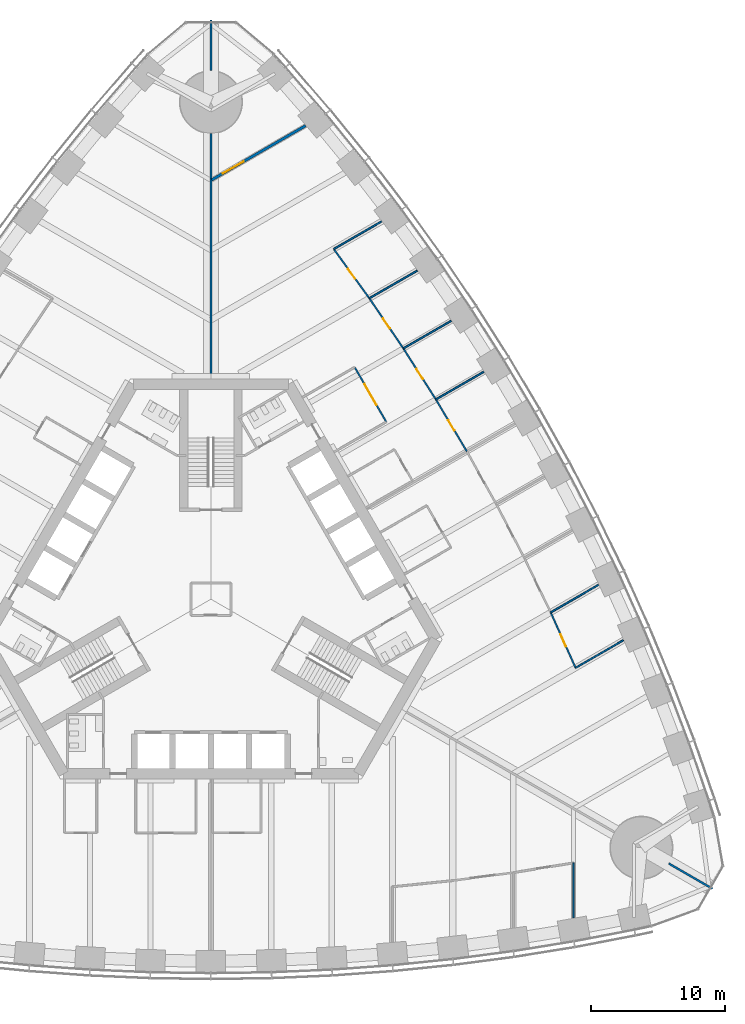
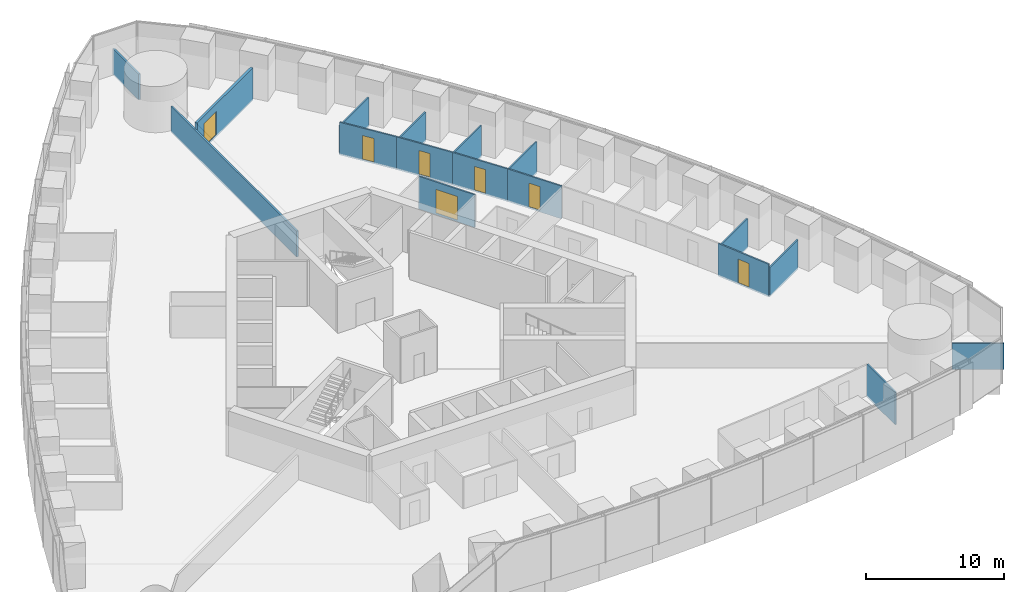
# One storey, part 13 of 19: 17 walls, 7 doors, 7 openings.
"""IFC4 building model written with IfcOpenShell, lengths in metres."""

import ifcopenshell
import ifcopenshell.guid

model = None  # the IFC model being written
_history = None  # IfcOwnerHistory: only IFC2X3 demands one
_inside = {}  # id of a spatial element -> (the spatial element, [elements in it])
_under = {}  # id of a project, library or spatial element -> (it, [spatial elements below it])
_declared = {}  # id of a project -> (the project, [libraries it declares])
_typed = {}  # id of a type object -> (the type object, [elements of that type])
_made_of = {}  # id of a material, layer set ... -> (it, [elements and type objects made of it])


def new_model(schema):
    """Start an empty IFC model of exactly this schema.

    Asked for "IFC4X3", IfcOpenShell would pick the latest addendum, in which some entities
    have other attributes; the version numbers below select the first issue.
    IFC2X3 requires an IfcOwnerHistory on every rooted entity: one is made here for all.
    """
    global model, _history
    if schema == "IFC4X3":
        model = ifcopenshell.file(schema_version=(4, 3, 0, 0))
    else:
        model = ifcopenshell.file(schema=schema)
    _inside.clear()
    _under.clear()
    _declared.clear()
    _typed.clear()
    _made_of.clear()
    _history = None
    if model.schema == "IFC2X3":
        org = make("IfcOrganization", Name="unknown")
        user = make(
            "IfcPersonAndOrganization",
            ThePerson=make("IfcPerson", FamilyName="unknown"),
            TheOrganization=org,
        )
        app = make(
            "IfcApplication",
            ApplicationDeveloper=org,
            Version="unknown",
            ApplicationFullName="unknown",
            ApplicationIdentifier="unknown",
        )
        _history = make(
            "IfcOwnerHistory",
            OwningUser=user,
            OwningApplication=app,
            ChangeAction="ADDED",
            CreationDate=0,
        )
    return model


def make(cls, **values):
    """One entity of the class cls with the attributes given. An attribute that is None is left unset."""
    return model.create_entity(
        cls, **{name: value for name, value in values.items() if value is not None}
    )


def rooted(cls, **values):
    """An entity with a GlobalId (a new one), such as an element, a storey or a relation."""
    return make(cls, GlobalId=ifcopenshell.guid.new(), OwnerHistory=_history, **values)


def si_unit(unit_type, name, prefix=None):
    """IfcSIUnit, for example si_unit("LENGTHUNIT", "METRE", prefix="MILLI")."""
    return make("IfcSIUnit", UnitType=unit_type, Prefix=prefix, Name=name)


def assignment(units):
    """IfcUnitAssignment: the units of a project."""
    return None if units is None else make("IfcUnitAssignment", Units=units)


def point(xyz):
    """IfcCartesianPoint."""
    return None if xyz is None else make("IfcCartesianPoint", Coordinates=xyz)


def direction(xyz):
    """IfcDirection."""
    return None if xyz is None else make("IfcDirection", DirectionRatios=xyz)


def frame(location, z_axis=None, x_axis=None):
    """IfcAxis2Placement3D, a coordinate frame: its origin and axes. An axis left out is left unset."""
    return make(
        "IfcAxis2Placement3D",
        Location=point(location),
        Axis=direction(z_axis),
        RefDirection=direction(x_axis),
    )


def frame_2d(location, x_axis=None):
    """IfcAxis2Placement2D, a coordinate frame in the plane: its origin and x axis."""
    return make(
        "IfcAxis2Placement2D", Location=point(location), RefDirection=direction(x_axis)
    )


def origin():
    """The frame at (0, 0, 0) with its axes left unset."""
    return frame((0.0, 0.0, 0.0))


def place(relative_to, where):
    """IfcLocalPlacement: puts the frame where relative to a parent placement (None: the world)."""
    return make(
        "IfcLocalPlacement", PlacementRelTo=relative_to, RelativePlacement=where
    )


def context(
    kind, dimensions, precision=None, world=None, true_north=None, identifier=None
):
    """IfcGeometricRepresentationContext, for example the 3D "Model" context."""
    return make(
        "IfcGeometricRepresentationContext",
        ContextIdentifier=identifier,
        ContextType=kind,
        CoordinateSpaceDimension=dimensions,
        Precision=precision,
        WorldCoordinateSystem=world,
        TrueNorth=true_north,
    )


def subcontext(parent, identifier, kind, view, scale=None):
    """IfcGeometricRepresentationSubContext, for example "Body" below "Model"."""
    return make(
        "IfcGeometricRepresentationSubContext",
        ContextIdentifier=identifier,
        ContextType=kind,
        ParentContext=parent,
        TargetScale=scale,
        TargetView=view,
    )


def project(units=None, contexts=None):
    """IfcProject with its units and contexts."""
    return rooted(
        "IfcProject",
        Name="project",
        RepresentationContexts=contexts,
        UnitsInContext=assignment(units),
    )


def spatial(cls, under=None, at=None, **own):
    """A site, building, storey or space (cls), placed at a placement, below another one or the project."""
    s = rooted(cls, ObjectPlacement=at, **own)
    if under is not None:
        _under.setdefault(under.id(), (under, []))[1].append(s)
    return s


def profile(cls, at=None, kind="AREA", **sizes):
    """A parametric profile (cls). Its sizes go by their IFC names, for example OverallWidth=200.0."""
    return make(cls, ProfileType=kind, Position=at, **sizes)


def rectangle(**sizes):
    """IfcRectangleProfileDef."""
    return profile("IfcRectangleProfileDef", **sizes)


def extrude(swept, where, along, depth):
    """IfcExtrudedAreaSolid: the profile swept, set in the frame where, extruded along a direction by depth."""
    return make(
        "IfcExtrudedAreaSolid",
        SweptArea=swept,
        Position=where,
        ExtrudedDirection=direction(along),
        Depth=depth,
    )


def shape(context_of_items, identifier, shape_type, items):
    """IfcShapeRepresentation: the items that make up one representation, for example the "Body"."""
    return make(
        "IfcShapeRepresentation",
        ContextOfItems=context_of_items,
        RepresentationIdentifier=identifier,
        RepresentationType=shape_type,
        Items=items,
    )


def material(Name=None, Category=None):
    """IfcMaterial."""
    return make("IfcMaterial", Name=Name, Category=Category)


def layer(
    of_material, thickness, ventilated=None, Name=None, Category=None, Priority=None
):
    """IfcMaterialLayer: one layer of a wall or slab, of a material (None: an air gap)."""
    return make(
        "IfcMaterialLayer",
        Material=of_material,
        LayerThickness=thickness,
        IsVentilated=ventilated,
        Name=Name,
        Category=Category,
        Priority=Priority,
    )


def layer_set(layers, Name=None):
    """IfcMaterialLayerSet."""
    return make("IfcMaterialLayerSet", MaterialLayers=layers, LayerSetName=Name)


def made_of(thing, what):
    """Note that an element or type object is made of a material, layer set ...; save() writes the relation."""
    if what is not None:
        _made_of.setdefault(what.id(), (what, []))[1].append(thing)
    return thing


def type_object(cls, material=None, **own):
    """A type object (cls), such as IfcWallType, which elements share."""
    return made_of(rooted(cls, **own), material)


def element(
    cls,
    number,
    at=None,
    inside=None,
    cuts=None,
    type_object=None,
    material=None,
    context=None,
    identifier="Body",
    shape_type=None,
    held_by="IfcProductDefinitionShape",
    body=None,
    shapes=None,
    **own,
):
    """One element of the class cls, such as IfcWall. Its Tag is "e" and its number.

    at: its placement. inside: the storey or other place that contains it. cuts: it is an
    opening in that element (IfcRelVoidsElement). A single representation is given by context,
    identifier, shape_type and body (its items); several are given by shapes. held_by: the class
    of the entity that holds the representations. save() writes the other relations.
    """
    e = rooted(cls, Tag="e%d" % number, ObjectPlacement=at, **own)
    if body is not None:
        shapes = [shape(context, identifier, shape_type, body)]
    if shapes is not None:
        e.Representation = make(held_by, Representations=shapes)
    if inside is not None:
        _inside.setdefault(inside.id(), (inside, []))[1].append(e)
    if cuts is not None:
        rooted(
            "IfcRelVoidsElement", RelatingBuildingElement=cuts, RelatedOpeningElement=e
        )
    if type_object is not None:
        _typed.setdefault(type_object.id(), (type_object, []))[1].append(e)
    return made_of(e, material)


def fill(opening, filler):
    """IfcRelFillsElement: the door or window that sits in an opening."""
    return rooted(
        "IfcRelFillsElement",
        RelatingOpeningElement=opening,
        RelatedBuildingElement=filler,
    )


def aggregate(whole, parts):
    """IfcRelAggregates: a whole, such as a stair, and the parts it consists of."""
    return rooted("IfcRelAggregates", RelatingObject=whole, RelatedObjects=parts)


def save(model, path):
    """Write the relations noted so far, then the file.

    IfcRelAggregates (storeys below a building ...), IfcRelContainedInSpatialStructure (elements
    in a storey), IfcRelDefinesByType, IfcRelAssociatesMaterial and IfcRelDeclares: one each for
    every whole, place, type object, material and project.
    """
    for whole, parts in _under.values():
        aggregate(whole, parts)
    for where, things in _inside.values():
        rooted(
            "IfcRelContainedInSpatialStructure",
            RelatedElements=things,
            RelatingStructure=where,
        )
    for kind, things in _typed.values():
        rooted("IfcRelDefinesByType", RelatedObjects=things, RelatingType=kind)
    for what, things in _made_of.values():
        rooted("IfcRelAssociatesMaterial", RelatedObjects=things, RelatingMaterial=what)
    for by, libraries in _declared.values():
        rooted("IfcRelDeclares", RelatingContext=by, RelatedDefinitions=libraries)
    model.write(path)


model = new_model("IFC4")

# Units and contexts
model_context = context("Model", 3, precision=1e-05, world=origin(), true_north=direction((0.0, 1.0)))
body_context = subcontext(model_context, "Body", "Model", "MODEL_VIEW")
ifc_project = project(units=[si_unit("LENGTHUNIT", "METRE"), si_unit("AREAUNIT", "SQUARE_METRE"), si_unit("VOLUMEUNIT", "CUBIC_METRE"), si_unit("PLANEANGLEUNIT", "RADIAN"), si_unit("MASSUNIT", "GRAM", prefix="KILO")], contexts=[model_context])

# Site, building, storey
site_placement = place(None, origin())
site = spatial("IfcSite", under=ifc_project, at=site_placement, CompositionType="ELEMENT")
building_placement = place(site_placement, origin())
building = spatial("IfcBuilding", under=site, at=building_placement, Name="Trefoil Bronze Tower", CompositionType="ELEMENT")
storey_placement = place(building_placement, frame((0.0, 0.0, 79.5)))
storey = spatial("IfcBuildingStorey", under=building, at=storey_placement, Name="L18", CompositionType="ELEMENT", Elevation=79.5)

# Wall, opening, door
ifc_material_1 = material(Name="Gypsum board on steel studs", Category="steel")
ifc_layer_1 = layer(ifc_material_1, 0.199951171875)
ifc_layer_set_1 = layer_set([ifc_layer_1], Name="Acoustic partition 200")
wall_type_1 = type_object("IfcWallType", Name="Acoustic partition 200", PredefinedType="PARTITIONING", material=ifc_layer_set_1)
wall_1_placement = place(storey_placement, frame((0.054931640625, 31.208740234375, 0.0), z_axis=(0.0, 0.0, 1.0), x_axis=(0.866027459735, 0.499996438971, 0.0)))
wall_1 = element("IfcWall", 1, at=wall_1_placement, inside=storey, type_object=wall_type_1, Name="Partition F2 L18", PredefinedType="PARTITIONING", context=body_context, shape_type="SweptSolid", body=[
    extrude(rectangle(XDim=8.0732421875, YDim=0.199951171875, at=frame_2d((4.03662109375, 0.0))), origin(), (0.0, 0.0, 1.0), 2.89990234375),
])
opening_1_placement = place(wall_1_placement, frame((0.949951171875, 0.0, 0.14990234375)))
opening_1 = element("IfcOpeningElement", 2, at=opening_1_placement, cuts=wall_1, Name="Opening D10", PredefinedType="OPENING", context=body_context, shape_type="SweptSolid", body=[
    extrude(rectangle(XDim=1.800048828125, YDim=2.10009765625, at=frame_2d((0.89990234375, 1.050048828125))), frame((0.0, 0.10986328125, 0.0), z_axis=(0.0, -1.0, 0.0), x_axis=(1.0, 0.0, 0.0)), (0.0, 0.0, 1.0), 0.219970703125),
])
ifc_material_2 = material(Name="Timber door", Category="wood")
door_type_1 = type_object("IfcDoorType", Name="Double door 1800", OperationType="DOUBLE_DOOR_SINGLE_SWING", PredefinedType="DOOR", material=ifc_material_2)
door_1_placement = place(opening_1_placement, origin())
door_1 = element("IfcDoor", 3, at=door_1_placement, inside=storey, type_object=door_type_1, Name="Boardroom door F2 L18", OperationType="DOUBLE_DOOR_SINGLE_SWING", OverallHeight=2.10009765625, OverallWidth=1.800048828125, PredefinedType="DOOR", context=body_context, shape_type="SweptSolid", body=[
    extrude(rectangle(XDim=1.800048828125, YDim=2.10009765625, at=frame_2d((0.89990234375, 1.050048828125))), frame((0.0, 0.02490234375, 0.0), z_axis=(0.0, -1.0, 0.0), x_axis=(1.0, 0.0, 0.0)), (0.0, 0.0, 1.0), 0.050048828125),
])
fill(opening_1, door_1)

# Wall
ifc_material_3 = material(Name="Glazed partition", Category="glass")
ifc_layer_2 = layer(ifc_material_3, 0.1201171875)
ifc_layer_set_2 = layer_set([ifc_layer_2], Name="Glazed partition 120")
wall_type_2 = type_object("IfcWallType", Name="Glazed partition 120", PredefinedType="PARTITIONING", material=ifc_layer_set_2)
wall_2_placement = place(storey_placement, frame((27.0, -19.63037109375, 0.0), z_axis=(0.0, 0.0, 1.0), x_axis=(0.0, -1.0, 0.0)))
element("IfcWall", 4, at=wall_2_placement, inside=storey, type_object=wall_type_2, Name="Partition F1 L18", PredefinedType="PARTITIONING", context=body_context, shape_type="SweptSolid", body=[
    extrude(rectangle(XDim=4.094970703125, YDim=0.1201171875, at=frame_2d((2.04736328125, 0.0))), origin(), (0.0, 0.0, 1.0), 2.89990234375),
])

# Wall, opening, door
wall_3_placement = place(storey_placement, frame((13.0517578125, 13.193603515625, 0.0), z_axis=(0.0, 0.0, 1.0), x_axis=(-0.499977259774, 0.866038532462, 0.0)))
wall_3 = element("IfcWall", 5, at=wall_3_placement, inside=storey, type_object=wall_type_2, Name="Partition F2 L18", PredefinedType="PARTITIONING", context=body_context, shape_type="SweptSolid", body=[
    extrude(rectangle(XDim=4.699951171875, YDim=0.1201171875, at=frame_2d((2.35009765625, 0.0))), origin(), (0.0, 0.0, 1.0), 2.89990234375),
])
opening_2_placement = place(wall_3_placement, frame((1.449951171875, 0.0, 0.14990234375)))
opening_2 = element("IfcOpeningElement", 6, at=opening_2_placement, cuts=wall_3, Name="Opening D10", PredefinedType="OPENING", context=body_context, shape_type="SweptSolid", body=[
    extrude(rectangle(XDim=1.800048828125, YDim=2.10009765625, at=frame_2d((0.89990234375, 1.050048828125))), frame((0.0, 0.070068359375, 0.0), z_axis=(0.0, -1.0, 0.0), x_axis=(1.0, 0.0, 0.0)), (0.0, 0.0, 1.0), 0.14013671875),
])
door_2_placement = place(opening_2_placement, origin())
door_2 = element("IfcDoor", 7, at=door_2_placement, inside=storey, type_object=door_type_1, Name="Reception door F2 L18", OperationType="DOUBLE_DOOR_SINGLE_SWING", OverallHeight=2.10009765625, OverallWidth=1.800048828125, PredefinedType="DOOR", context=body_context, shape_type="SweptSolid", body=[
    extrude(rectangle(XDim=1.800048828125, YDim=2.10009765625, at=frame_2d((0.89990234375, 1.050048828125))), frame((0.0, 0.02490234375, 0.0), z_axis=(0.0, -1.0, 0.0), x_axis=(1.0, 0.0, 0.0)), (0.0, 0.0, 1.0), 0.050048828125),
])
fill(opening_2, door_2)

wall_4_placement = place(storey_placement, frame((19.051513671875, 10.999267578125, 0.0), z_axis=(0.0, 0.0, 1.0), x_axis=(-0.51252396108, 0.858672923364, 0.0)))
wall_4 = element("IfcWall", 8, at=wall_4_placement, inside=storey, type_object=wall_type_2, Name="Partition F2 L18", PredefinedType="PARTITIONING", context=body_context, shape_type="SweptSolid", body=[
    extrude(rectangle(XDim=4.50048828125, YDim=0.1201171875, at=frame_2d((2.250244140625, 0.0))), origin(), (0.0, 0.0, 1.0), 2.89990234375),
])
opening_3_placement = place(wall_4_placement, frame((1.800048828125, 0.0, 0.14990234375)))
opening_3 = element("IfcOpeningElement", 9, at=opening_3_placement, cuts=wall_4, Name="Opening D8", PredefinedType="OPENING", context=body_context, shape_type="SweptSolid", body=[
    extrude(rectangle(XDim=0.89990234375, YDim=2.10009765625, at=frame_2d((0.449951171875, 1.050048828125))), frame((0.0, 0.070068359375, 0.0), z_axis=(0.0, -1.0, 0.0), x_axis=(1.0, 0.0, 0.0)), (0.0, 0.0, 1.0), 0.14013671875),
])
ifc_material_4 = material(Name="Timber door", Category="wood")
door_type_2 = type_object("IfcDoorType", Name="Office door 900", OperationType="SINGLE_SWING_LEFT", PredefinedType="DOOR", material=ifc_material_4)
door_3_placement = place(opening_3_placement, frame((0.89990234375, 0.0, 0.0), z_axis=(0.0, 0.0, 1.0), x_axis=(-1.0, 0.0, 0.0)))
door_3 = element("IfcDoor", 10, at=door_3_placement, inside=storey, type_object=door_type_2, Name="Office door F2 L18", OperationType="SINGLE_SWING_RIGHT", OverallHeight=2.10009765625, OverallWidth=0.89990234375, PredefinedType="DOOR", context=body_context, shape_type="SweptSolid", body=[
    extrude(rectangle(XDim=0.89990234375, YDim=2.10009765625, at=frame_2d((0.449951171875, 1.050048828125))), frame((0.0, 0.02490234375, 0.0), z_axis=(0.0, -1.0, 0.0), x_axis=(1.0, 0.0, 0.0)), (0.0, 0.0, 1.0), 0.050048828125),
])
fill(opening_3, door_3)

wall_5_placement = place(storey_placement, frame((11.791748046875, 22.396240234375, 0.0), z_axis=(0.0, 0.0, 1.0), x_axis=(-0.585376255171, 0.810761765183, 0.0)))
wall_5 = element("IfcWall", 11, at=wall_5_placement, inside=storey, type_object=wall_type_2, Name="Partition F2 L18", PredefinedType="PARTITIONING", context=body_context, shape_type="SweptSolid", body=[
    extrude(rectangle(XDim=4.5234375, YDim=0.1201171875, at=frame_2d((2.26171875, 0.0))), origin(), (0.0, 0.0, 1.0), 2.89990234375),
])
opening_4_placement = place(wall_5_placement, frame((1.800048828125, 0.0, 0.14990234375)))
opening_4 = element("IfcOpeningElement", 12, at=opening_4_placement, cuts=wall_5, Name="Opening D8", PredefinedType="OPENING", context=body_context, shape_type="SweptSolid", body=[
    extrude(rectangle(XDim=0.89990234375, YDim=2.10009765625, at=frame_2d((0.449951171875, 1.050048828125))), frame((0.0, 0.070068359375, 0.0), z_axis=(0.0, -1.0, 0.0), x_axis=(1.0, 0.0, 0.0)), (0.0, 0.0, 1.0), 0.14013671875),
])
door_4_placement = place(opening_4_placement, frame((0.89990234375, 0.0, 0.0), z_axis=(0.0, 0.0, 1.0), x_axis=(-1.0, 0.0, 0.0)))
door_4 = element("IfcDoor", 13, at=door_4_placement, inside=storey, type_object=door_type_2, Name="Office door F2 L18", OperationType="SINGLE_SWING_RIGHT", OverallHeight=2.10009765625, OverallWidth=0.89990234375, PredefinedType="DOOR", context=body_context, shape_type="SweptSolid", body=[
    extrude(rectangle(XDim=0.89990234375, YDim=2.10009765625, at=frame_2d((0.449951171875, 1.050048828125))), frame((0.0, 0.02490234375, 0.0), z_axis=(0.0, -1.0, 0.0), x_axis=(1.0, 0.0, 0.0)), (0.0, 0.0, 1.0), 0.050048828125),
])
fill(opening_4, door_4)

wall_6_placement = place(storey_placement, frame((16.744873046875, 14.86376953125, 0.0), z_axis=(0.0, 0.0, 1.0), x_axis=(-0.537205132487, 0.843451626135, 0.0)))
wall_6 = element("IfcWall", 14, at=wall_6_placement, inside=storey, type_object=wall_type_2, Name="Partition F2 L18", PredefinedType="PARTITIONING", context=body_context, shape_type="SweptSolid", body=[
    extrude(rectangle(XDim=4.504150390625, YDim=0.1201171875, at=frame_2d((2.251953125, 0.0))), origin(), (0.0, 0.0, 1.0), 2.89990234375),
])
opening_5_placement = place(wall_6_placement, frame((1.800048828125, 0.0, 0.14990234375)))
opening_5 = element("IfcOpeningElement", 15, at=opening_5_placement, cuts=wall_6, Name="Opening D8", PredefinedType="OPENING", context=body_context, shape_type="SweptSolid", body=[
    extrude(rectangle(XDim=0.89990234375, YDim=2.10009765625, at=frame_2d((0.449951171875, 1.050048828125))), frame((0.0, 0.070068359375, 0.0), z_axis=(0.0, -1.0, 0.0), x_axis=(1.0, 0.0, 0.0)), (0.0, 0.0, 1.0), 0.14013671875),
])
door_5_placement = place(opening_5_placement, frame((0.89990234375, 0.0, 0.0), z_axis=(0.0, 0.0, 1.0), x_axis=(-1.0, 0.0, 0.0)))
door_5 = element("IfcDoor", 16, at=door_5_placement, inside=storey, type_object=door_type_2, Name="Office door F2 L18", OperationType="SINGLE_SWING_RIGHT", OverallHeight=2.10009765625, OverallWidth=0.89990234375, PredefinedType="DOOR", context=body_context, shape_type="SweptSolid", body=[
    extrude(rectangle(XDim=0.89990234375, YDim=2.10009765625, at=frame_2d((0.449951171875, 1.050048828125))), frame((0.0, 0.02490234375, 0.0), z_axis=(0.0, -1.0, 0.0), x_axis=(1.0, 0.0, 0.0)), (0.0, 0.0, 1.0), 0.050048828125),
])
fill(opening_5, door_5)

wall_7_placement = place(storey_placement, frame((14.3251953125, 18.662841796875, 0.0), z_axis=(0.0, 0.0, 1.0), x_axis=(-0.561512004239, 0.827468591002, 0.0)))
wall_7 = element("IfcWall", 17, at=wall_7_placement, inside=storey, type_object=wall_type_2, Name="Partition F2 L18", PredefinedType="PARTITIONING", context=body_context, shape_type="SweptSolid", body=[
    extrude(rectangle(XDim=4.51171875, YDim=0.1201171875, at=frame_2d((2.255859375, 0.0))), origin(), (0.0, 0.0, 1.0), 2.89990234375),
])
opening_6_placement = place(wall_7_placement, frame((1.800048828125, 0.0, 0.14990234375)))
opening_6 = element("IfcOpeningElement", 18, at=opening_6_placement, cuts=wall_7, Name="Opening D8", PredefinedType="OPENING", context=body_context, shape_type="SweptSolid", body=[
    extrude(rectangle(XDim=0.89990234375, YDim=2.10009765625, at=frame_2d((0.449951171875, 1.050048828125))), frame((0.0, 0.070068359375, 0.0), z_axis=(0.0, -1.0, 0.0), x_axis=(1.0, 0.0, 0.0)), (0.0, 0.0, 1.0), 0.14013671875),
])
door_6_placement = place(opening_6_placement, frame((0.89990234375, 0.0, 0.0), z_axis=(0.0, 0.0, 1.0), x_axis=(-1.0, 0.0, 0.0)))
door_6 = element("IfcDoor", 19, at=door_6_placement, inside=storey, type_object=door_type_2, Name="Office door F2 L18", OperationType="SINGLE_SWING_RIGHT", OverallHeight=2.10009765625, OverallWidth=0.89990234375, PredefinedType="DOOR", context=body_context, shape_type="SweptSolid", body=[
    extrude(rectangle(XDim=0.89990234375, YDim=2.10009765625, at=frame_2d((0.449951171875, 1.050048828125))), frame((0.0, 0.02490234375, 0.0), z_axis=(0.0, -1.0, 0.0), x_axis=(1.0, 0.0, 0.0)), (0.0, 0.0, 1.0), 0.050048828125),
])
fill(opening_6, door_6)

wall_8_placement = place(storey_placement, frame((27.143798828125, -5.113037109375, 0.0), z_axis=(0.0, 0.0, 1.0), x_axis=(-0.409451055745, 0.912332084796, 0.0)))
wall_8 = element("IfcWall", 20, at=wall_8_placement, inside=storey, type_object=wall_type_2, Name="Partition F2 L18", PredefinedType="PARTITIONING", context=body_context, shape_type="SweptSolid", body=[
    extrude(rectangle(XDim=4.523193359375, YDim=0.1201171875, at=frame_2d((2.26171875, 0.0))), origin(), (0.0, 0.0, 1.0), 2.89990234375),
])
opening_7_placement = place(wall_8_placement, frame((1.75, 0.0, 0.14990234375)))
opening_7 = element("IfcOpeningElement", 21, at=opening_7_placement, cuts=wall_8, Name="Opening D9", PredefinedType="OPENING", context=body_context, shape_type="SweptSolid", body=[
    extrude(rectangle(XDim=1.0, YDim=2.10009765625, at=frame_2d((0.5, 1.050048828125))), frame((0.0, 0.070068359375, 0.0), z_axis=(0.0, -1.0, 0.0), x_axis=(1.0, 0.0, 0.0)), (0.0, 0.0, 1.0), 0.14013671875),
])
ifc_material_5 = material(Name="Glazed timber door", Category="wood")
door_type_3 = type_object("IfcDoorType", Name="Meeting room door 1000", OperationType="SINGLE_SWING_LEFT", PredefinedType="DOOR", material=ifc_material_5)
door_7_placement = place(opening_7_placement, frame((1.0, 0.0, 0.0), z_axis=(0.0, 0.0, 1.0), x_axis=(-1.0, 0.0, 0.0)))
door_7 = element("IfcDoor", 22, at=door_7_placement, inside=storey, type_object=door_type_3, Name="Meeting room door F2 L18", OperationType="SINGLE_SWING_RIGHT", OverallHeight=2.10009765625, OverallWidth=1.0, PredefinedType="DOOR", context=body_context, shape_type="SweptSolid", body=[
    extrude(rectangle(XDim=1.0, YDim=2.10009765625, at=frame_2d((0.5, 1.050048828125))), frame((0.0, 0.02490234375, 0.0), z_axis=(0.0, -1.0, 0.0), x_axis=(1.0, 0.0, 0.0)), (0.0, 0.0, 1.0), 0.050048828125),
])
fill(opening_7, door_7)

# Walls
wall_9_placement = place(storey_placement, frame((11.791748046875, 22.396240234375, 0.0), z_axis=(0.0, 0.0, 1.0), x_axis=(0.865991869213, 0.500058079084, 0.0)))
element("IfcWall", 23, at=wall_9_placement, inside=storey, type_object=wall_type_2, Name="Partition F2 L18", PredefinedType="PARTITIONING", context=body_context, shape_type="SweptSolid", body=[
    extrude(rectangle(XDim=4.11376953125, YDim=0.1201171875, at=frame_2d((2.056884765625, 0.0))), origin(), (0.0, 0.0, 1.0), 2.60009765625),
])
wall_10_placement = place(storey_placement, frame((9.143798828125, 26.063720703125, 0.0), z_axis=(0.0, 0.0, 1.0), x_axis=(0.866022320763, 0.500005339912, 0.0)))
element("IfcWall", 24, at=wall_10_placement, inside=storey, type_object=wall_type_2, Name="Partition F2 L18", PredefinedType="PARTITIONING", context=body_context, shape_type="SweptSolid", body=[
    extrude(rectangle(XDim=4.10888671875, YDim=0.1201171875, at=frame_2d((2.054443359375, 0.0))), origin(), (0.0, 0.0, 1.0), 2.60009765625),
])
wall_11_placement = place(storey_placement, frame((16.744873046875, 14.86376953125, 0.0), z_axis=(0.0, 0.0, 1.0), x_axis=(0.8660059538, 0.500033686847, 0.0)))
element("IfcWall", 25, at=wall_11_placement, inside=storey, type_object=wall_type_2, Name="Partition F2 L18", PredefinedType="PARTITIONING", context=body_context, shape_type="SweptSolid", body=[
    extrude(rectangle(XDim=4.119384765625, YDim=0.1201171875, at=frame_2d((2.0595703125, 0.0))), origin(), (0.0, 0.0, 1.0), 2.800048828125),
])
wall_12_placement = place(storey_placement, frame((14.3251953125, 18.662841796875, 0.0), z_axis=(0.0, 0.0, 1.0), x_axis=(0.866030556495, 0.499991075137, 0.0)))
element("IfcWall", 26, at=wall_12_placement, inside=storey, type_object=wall_type_2, Name="Partition F2 L18", PredefinedType="PARTITIONING", context=body_context, shape_type="SweptSolid", body=[
    extrude(rectangle(XDim=4.1171875, YDim=0.1201171875, at=frame_2d((2.05859375, 0.0))), origin(), (0.0, 0.0, 1.0), 2.800048828125),
])
wall_13_placement = place(storey_placement, frame((25.291748046875, -0.986328125, 0.0), z_axis=(0.0, 0.0, 1.0), x_axis=(0.86601756884, 0.500013570277, 0.0)))
element("IfcWall", 27, at=wall_13_placement, inside=storey, type_object=wall_type_2, Name="Partition F2 L18", PredefinedType="PARTITIONING", context=body_context, shape_type="SweptSolid", body=[
    extrude(rectangle(XDim=4.11376953125, YDim=0.1201171875, at=frame_2d((2.056884765625, 0.0))), origin(), (0.0, 0.0, 1.0), 2.60009765625),
])
wall_14_placement = place(storey_placement, frame((27.143798828125, -5.113037109375, 0.0), z_axis=(0.0, 0.0, 1.0), x_axis=(0.866022320763, 0.500005339912, 0.0)))
element("IfcWall", 28, at=wall_14_placement, inside=storey, type_object=wall_type_2, Name="Partition F2 L18", PredefinedType="PARTITIONING", context=body_context, shape_type="SweptSolid", body=[
    extrude(rectangle(XDim=4.10888671875, YDim=0.1201171875, at=frame_2d((2.054443359375, 0.0))), origin(), (0.0, 0.0, 1.0), 2.60009765625),
])
ifc_material_6 = material(Name="Gypsum board on steel studs", Category="steel")
ifc_layer_3 = layer(ifc_material_6, 0.14990234375)
ifc_layer_set_3 = layer_set([ifc_layer_3], Name="Party wall 150")
wall_type_3 = type_object("IfcWallType", Name="Party wall 150", PredefinedType="PARTITIONING", material=ifc_layer_set_3)
wall_15_placement = place(storey_placement, frame((34.078125, -19.675048828125, 0.0), z_axis=(0.0, 0.0, 1.0), x_axis=(0.866019247219, -0.500010663332, 0.0)))
element("IfcWall", 29, at=wall_15_placement, inside=storey, type_object=wall_type_3, Name="Party wall K1 L18", PredefinedType="PARTITIONING", context=body_context, shape_type="SweptSolid", body=[
    extrude(rectangle(XDim=3.76416015625, YDim=0.14990234375, at=frame_2d((1.882080078125, 0.0))), origin(), (0.0, 0.0, 1.0), 2.300048828125),
])
wall_16_placement = place(storey_placement, frame((0.0, 16.39990234375, 0.0), z_axis=(0.0, 0.0, 1.0), x_axis=(0.0, 1.0, 0.0)))
element("IfcWall", 30, at=wall_16_placement, inside=storey, type_object=wall_type_3, Name="Party wall K2 L18", PredefinedType="PARTITIONING", context=body_context, shape_type="SweptSolid", body=[
    extrude(rectangle(XDim=18.25, YDim=0.14990234375, at=frame_2d((9.125, 0.0))), origin(), (0.0, 0.0, 1.0), 2.300048828125),
])
wall_17_placement = place(storey_placement, frame((0.0, 39.35009765625, 0.0), z_axis=(0.0, 0.0, 1.0), x_axis=(0.0, 1.0, 0.0)))
element("IfcWall", 31, at=wall_17_placement, inside=storey, type_object=wall_type_3, Name="Party wall K2 L18", PredefinedType="PARTITIONING", context=body_context, shape_type="SweptSolid", body=[
    extrude(rectangle(XDim=3.763916015625, YDim=0.14990234375, at=frame_2d((1.8818359375, 0.0))), origin(), (0.0, 0.0, 1.0), 2.300048828125),
])

save(model, "model.ifc")
